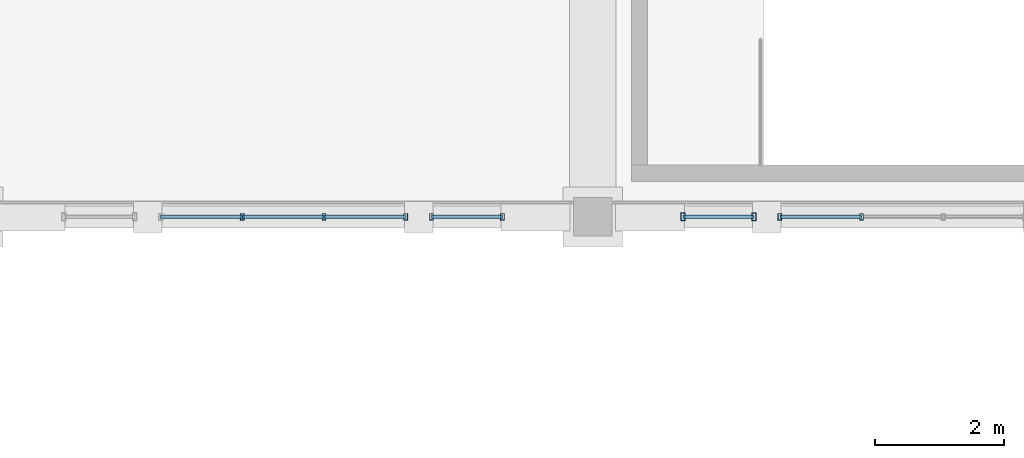
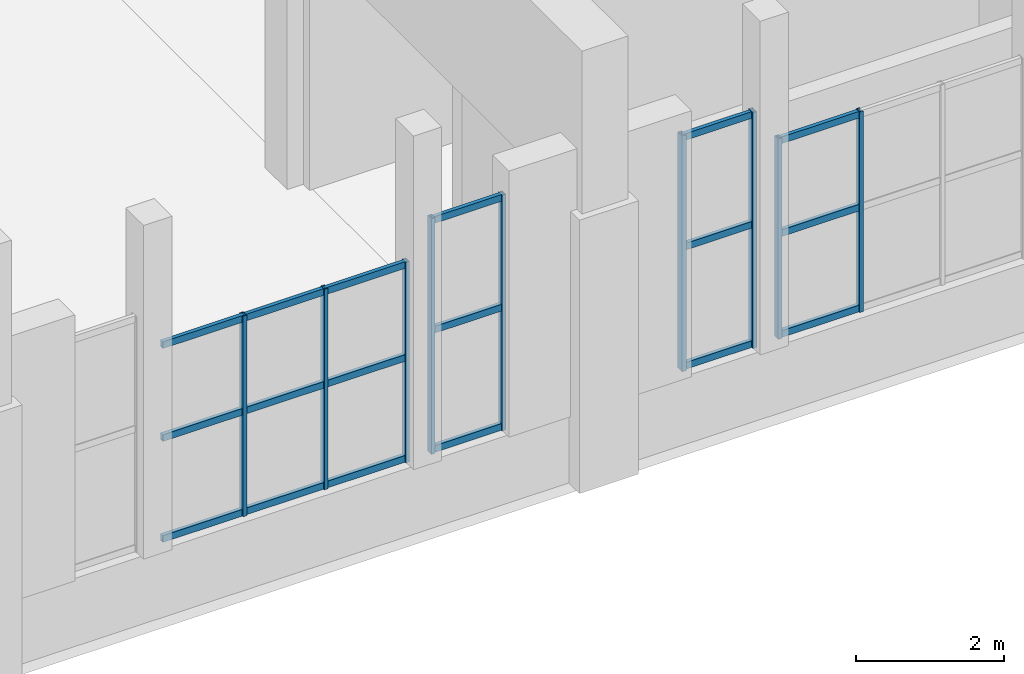
# One storey, part 9 of 46: 27 members, 4 elements without a shape of their own.
"""IFC4 building model written with IfcOpenShell, lengths in metres."""

from ifc_helpers import new_model, si_unit, direction, frame, origin, origin_2d, place, context, subcontext, project, spatial, hollow_rectangle, extrude, material, material_profile, profile_set, type_object, element, aggregate, save


model = new_model("IFC4")

# Units and contexts
model_context = context("Model", 3, precision=1e-05, world=origin(), true_north=direction((0.0, 1.0)))
body_context = subcontext(model_context, "Body", "Model", "MODEL_VIEW")
ifc_project = project(units=[si_unit("LENGTHUNIT", "METRE"), si_unit("AREAUNIT", "SQUARE_METRE"), si_unit("VOLUMEUNIT", "CUBIC_METRE"), si_unit("PLANEANGLEUNIT", "RADIAN"), si_unit("MASSUNIT", "GRAM", prefix="KILO")], contexts=[model_context])

# Site, building, storey
site_placement = place(None, origin())
site = spatial("IfcSite", under=ifc_project, at=site_placement, CompositionType="ELEMENT")
building_placement = place(site_placement, origin())
building = spatial("IfcBuilding", under=site, at=building_placement, Name="Mavantir Sound Aquarium", CompositionType="ELEMENT")
storey_placement = place(building_placement, frame((0.0, 0.0, 15.300048828125)))
storey = spatial("IfcBuildingStorey", under=building, at=storey_placement, Name="L03", CompositionType="ELEMENT", Elevation=15.300048828125)

# Curtain wall, members
ifc_material_1 = material(Name="Anodised Marine Aluminium and Low-E Glass", Category="aluminium")
curtain_wall_type_1 = type_object("IfcCurtainWallType", Name="CW-T16", PredefinedType="USERDEFINED", material=ifc_material_1)
curtain_wall_1_placement = place(storey_placement, origin())
curtain_wall_1 = element("IfcCurtainWall", 1, at=curtain_wall_1_placement, inside=storey, type_object=curtain_wall_type_1, Name="L03 unitised curtain wall CW-16 159", ObjectType="UNITISED GLAZING", PredefinedType="USERDEFINED")
ifc_material_2 = material(Name="Anodised Marine Aluminium 6063-T6", Category="aluminium")
ifc_material_profile_1 = material_profile(ifc_material_2, hollow_rectangle(XDim=0.06005859375, YDim=0.10009765625, WallThickness=0.00390625, at=origin_2d()), Name="ALU-MULLION-100X60")
ifc_profile_set_1 = profile_set([ifc_material_profile_1], Name="Anodised Marine Aluminium 6063-T6")
member_type_1 = type_object("IfcMemberType", Name="CW-MUL-100", PredefinedType="MULLION", material=ifc_profile_set_1)
member_1_placement = place(storey_placement, frame((140.966796875, 40.800048828125, 1.119873046875), z_axis=(0.0, 0.0, 1.0), x_axis=(1.0, 0.0, 0.0)))
member_1 = element("IfcMember", 2, at=member_1_placement, type_object=member_type_1, Name="CW-DIOC-4S-C vertical mullion 2", PredefinedType="MULLION", context=body_context, shape_type="SweptSolid", body=[
    extrude(hollow_rectangle(XDim=0.06005859375, YDim=0.10009765625, WallThickness=0.00390625, at=origin_2d()), origin(), (0.0, 0.0, 1.0), 3.300048828125),
])
member_2_placement = place(storey_placement, frame((142.2333984375, 40.800048828125, 1.119873046875), z_axis=(0.0, 0.0, 1.0), x_axis=(1.0, 0.0, 0.0)))
member_2 = element("IfcMember", 3, at=member_2_placement, type_object=member_type_1, Name="CW-DIOC-4S-C vertical mullion 3", PredefinedType="MULLION", context=body_context, shape_type="SweptSolid", body=[
    extrude(hollow_rectangle(XDim=0.06005859375, YDim=0.10009765625, WallThickness=0.00390625, at=origin_2d()), origin(), (0.0, 0.0, 1.0), 3.300048828125),
])
member_3_placement = place(storey_placement, frame((143.5, 40.800048828125, 1.119873046875), z_axis=(0.0, 0.0, 1.0), x_axis=(1.0, 0.0, 0.0)))
member_3 = element("IfcMember", 4, at=member_3_placement, type_object=member_type_1, Name="CW-DIOC-4S-C vertical mullion 4", PredefinedType="MULLION", context=body_context, shape_type="SweptSolid", body=[
    extrude(hollow_rectangle(XDim=0.06005859375, YDim=0.10009765625, WallThickness=0.00390625, at=origin_2d()), origin(), (0.0, 0.0, 1.0), 3.300048828125),
])

curtain_wall_type_2 = type_object("IfcCurtainWallType", Name="CW-T18", PredefinedType="USERDEFINED", material=ifc_material_1)
curtain_wall_2_placement = place(storey_placement, origin())
curtain_wall_2 = element("IfcCurtainWall", 5, at=curtain_wall_2_placement, inside=storey, type_object=curtain_wall_type_2, Name="L03 unitised curtain wall CW-18 161", ObjectType="UNITISED GLAZING", PredefinedType="USERDEFINED")
member_4_placement = place(storey_placement, frame((143.89990234375, 40.800048828125, 1.119873046875), z_axis=(0.0, 0.0, 1.0), x_axis=(1.0, 0.0, 0.0)))
member_4 = element("IfcMember", 6, at=member_4_placement, type_object=member_type_1, Name="CW-DIOC-4S-R vertical mullion 1", PredefinedType="MULLION", context=body_context, shape_type="SweptSolid", body=[
    extrude(hollow_rectangle(XDim=0.06005859375, YDim=0.10009765625, WallThickness=0.00390625, at=origin_2d()), origin(), (0.0, 0.0, 1.0), 3.880126953125),
])
member_5_placement = place(storey_placement, frame((145.0, 40.800048828125, 1.119873046875), z_axis=(0.0, 0.0, 1.0), x_axis=(1.0, 0.0, 0.0)))
member_5 = element("IfcMember", 7, at=member_5_placement, type_object=member_type_1, Name="CW-DIOC-4S-R vertical mullion 2", PredefinedType="MULLION", context=body_context, shape_type="SweptSolid", body=[
    extrude(hollow_rectangle(XDim=0.06005859375, YDim=0.10009765625, WallThickness=0.00390625, at=origin_2d()), origin(), (0.0, 0.0, 1.0), 3.880126953125),
])

curtain_wall_type_3 = type_object("IfcCurtainWallType", Name="CW-T22", PredefinedType="USERDEFINED", material=ifc_material_1)
curtain_wall_3_placement = place(storey_placement, origin())
curtain_wall_3 = element("IfcCurtainWall", 8, at=curtain_wall_3_placement, inside=storey, type_object=curtain_wall_type_3, Name="L03 unitised curtain wall CW-22 165", ObjectType="UNITISED GLAZING", PredefinedType="USERDEFINED")
member_6_placement = place(storey_placement, frame((149.300048828125, 40.800048828125, 1.119873046875), z_axis=(0.0, 0.0, 1.0), x_axis=(1.0, 0.0, 0.0)))
member_6 = element("IfcMember", 9, at=member_6_placement, type_object=member_type_1, Name="CW-DIOC-5S-C vertical mullion 1", PredefinedType="MULLION", context=body_context, shape_type="SweptSolid", body=[
    extrude(hollow_rectangle(XDim=0.06005859375, YDim=0.10009765625, WallThickness=0.00390625, at=origin_2d()), origin(), (0.0, 0.0, 1.0), 3.300048828125),
])
member_7_placement = place(storey_placement, frame((150.566650390625, 40.800048828125, 1.119873046875), z_axis=(0.0, 0.0, 1.0), x_axis=(1.0, 0.0, 0.0)))
member_7 = element("IfcMember", 10, at=member_7_placement, type_object=member_type_1, Name="CW-DIOC-5S-C vertical mullion 2", PredefinedType="MULLION", context=body_context, shape_type="SweptSolid", body=[
    extrude(hollow_rectangle(XDim=0.06005859375, YDim=0.10009765625, WallThickness=0.00390625, at=origin_2d()), origin(), (0.0, 0.0, 1.0), 3.300048828125),
])

curtain_wall_type_4 = type_object("IfcCurtainWallType", Name="CW-T23", PredefinedType="USERDEFINED", material=ifc_material_1)
curtain_wall_4_placement = place(storey_placement, origin())
curtain_wall_4 = element("IfcCurtainWall", 11, at=curtain_wall_4_placement, inside=storey, type_object=curtain_wall_type_4, Name="L03 unitised curtain wall CW-23 166", ObjectType="UNITISED GLAZING", PredefinedType="USERDEFINED")
ifc_material_profile_2 = material_profile(ifc_material_2, hollow_rectangle(XDim=0.06494140625, YDim=0.1201171875, WallThickness=0.00390625, at=origin_2d()), Name="ALU-MULLION-120X65")
ifc_profile_set_2 = profile_set([ifc_material_profile_2], Name="Anodised Marine Aluminium 6063-T6")
member_type_2 = type_object("IfcMemberType", Name="CW-MUL-120", PredefinedType="MULLION", material=ifc_profile_set_2)
member_8_placement = place(storey_placement, frame((147.800048828125, 40.800048828125, 1.119873046875), z_axis=(0.0, 0.0, 1.0), x_axis=(1.0, 0.0, 0.0)))
member_8 = element("IfcMember", 12, at=member_8_placement, type_object=member_type_2, Name="CW-DIOC-5S-L vertical mullion 1", PredefinedType="MULLION", context=body_context, shape_type="SweptSolid", body=[
    extrude(hollow_rectangle(XDim=0.06494140625, YDim=0.1201171875, WallThickness=0.00390625, at=origin_2d()), origin(), (0.0, 0.0, 1.0), 3.880126953125),
])
member_9_placement = place(storey_placement, frame((148.89990234375, 40.800048828125, 1.119873046875), z_axis=(0.0, 0.0, 1.0), x_axis=(1.0, 0.0, 0.0)))
member_9 = element("IfcMember", 13, at=member_9_placement, type_object=member_type_2, Name="CW-DIOC-5S-L vertical mullion 2", PredefinedType="MULLION", context=body_context, shape_type="SweptSolid", body=[
    extrude(hollow_rectangle(XDim=0.06494140625, YDim=0.1201171875, WallThickness=0.00390625, at=origin_2d()), origin(), (0.0, 0.0, 1.0), 3.880126953125),
])

# Member
ifc_material_profile_3 = material_profile(ifc_material_2, hollow_rectangle(XDim=0.06005859375, YDim=0.110107421875, WallThickness=0.00390625, at=origin_2d()), Name="ALU-TRANSOM-110X60")
ifc_profile_set_3 = profile_set([ifc_material_profile_3], Name="Anodised Marine Aluminium 6063-T6")
member_type_3 = type_object("IfcMemberType", Name="CW-TRN-110", PredefinedType="USERDEFINED", material=ifc_profile_set_3)
member_10_placement = place(storey_placement, frame((139.699951171875, 40.800048828125, 1.175048828125), z_axis=(1.0, 0.0, 0.0), x_axis=(0.0, 1.0, 0.0)))
member_10 = element("IfcMember", 14, at=member_10_placement, type_object=member_type_3, Name="CW-DIOC-4S-C transom 1.1", ObjectType="TRANSOM", PredefinedType="USERDEFINED", context=body_context, shape_type="SweptSolid", body=[
    extrude(hollow_rectangle(XDim=0.06005859375, YDim=0.110107421875, WallThickness=0.00390625, at=origin_2d()), origin(), (0.0, 0.0, 1.0), 1.266845703125),
])

member_11_placement = place(storey_placement, frame((139.699951171875, 40.800048828125, 2.8359375), z_axis=(1.0, 0.0, 0.0), x_axis=(0.0, 1.0, 0.0)))
member_11 = element("IfcMember", 15, at=member_11_placement, type_object=member_type_3, Name="CW-DIOC-4S-C transom 1.2", ObjectType="TRANSOM", PredefinedType="USERDEFINED", context=body_context, shape_type="SweptSolid", body=[
    extrude(hollow_rectangle(XDim=0.06005859375, YDim=0.110107421875, WallThickness=0.00390625, at=origin_2d()), origin(), (0.0, 0.0, 1.0), 1.266845703125),
])

member_12_placement = place(storey_placement, frame((139.699951171875, 40.800048828125, 4.364990234375), z_axis=(1.0, 0.0, 0.0), x_axis=(0.0, 1.0, 0.0)))
member_12 = element("IfcMember", 16, at=member_12_placement, type_object=member_type_3, Name="CW-DIOC-4S-C transom 1.3", ObjectType="TRANSOM", PredefinedType="USERDEFINED", context=body_context, shape_type="SweptSolid", body=[
    extrude(hollow_rectangle(XDim=0.06005859375, YDim=0.110107421875, WallThickness=0.00390625, at=origin_2d()), origin(), (0.0, 0.0, 1.0), 1.266845703125),
])

member_13_placement = place(storey_placement, frame((140.966796875, 40.800048828125, 1.175048828125), z_axis=(1.0, 0.0, 0.0), x_axis=(0.0, 1.0, 0.0)))
member_13 = element("IfcMember", 17, at=member_13_placement, type_object=member_type_3, Name="CW-DIOC-4S-C transom 2.1", ObjectType="TRANSOM", PredefinedType="USERDEFINED", context=body_context, shape_type="SweptSolid", body=[
    extrude(hollow_rectangle(XDim=0.06005859375, YDim=0.110107421875, WallThickness=0.00390625, at=origin_2d()), origin(), (0.0, 0.0, 1.0), 1.2666015625),
])

member_14_placement = place(storey_placement, frame((140.966796875, 40.800048828125, 2.8359375), z_axis=(1.0, 0.0, 0.0), x_axis=(0.0, 1.0, 0.0)))
member_14 = element("IfcMember", 18, at=member_14_placement, type_object=member_type_3, Name="CW-DIOC-4S-C transom 2.2", ObjectType="TRANSOM", PredefinedType="USERDEFINED", context=body_context, shape_type="SweptSolid", body=[
    extrude(hollow_rectangle(XDim=0.06005859375, YDim=0.110107421875, WallThickness=0.00390625, at=origin_2d()), origin(), (0.0, 0.0, 1.0), 1.2666015625),
])

member_15_placement = place(storey_placement, frame((140.966796875, 40.800048828125, 4.364990234375), z_axis=(1.0, 0.0, 0.0), x_axis=(0.0, 1.0, 0.0)))
member_15 = element("IfcMember", 19, at=member_15_placement, type_object=member_type_3, Name="CW-DIOC-4S-C transom 2.3", ObjectType="TRANSOM", PredefinedType="USERDEFINED", context=body_context, shape_type="SweptSolid", body=[
    extrude(hollow_rectangle(XDim=0.06005859375, YDim=0.110107421875, WallThickness=0.00390625, at=origin_2d()), origin(), (0.0, 0.0, 1.0), 1.2666015625),
])

member_16_placement = place(storey_placement, frame((142.2333984375, 40.800048828125, 1.175048828125), z_axis=(1.0, 0.0, 0.0), x_axis=(0.0, 1.0, 0.0)))
member_16 = element("IfcMember", 20, at=member_16_placement, type_object=member_type_3, Name="CW-DIOC-4S-C transom 3.1", ObjectType="TRANSOM", PredefinedType="USERDEFINED", context=body_context, shape_type="SweptSolid", body=[
    extrude(hollow_rectangle(XDim=0.06005859375, YDim=0.110107421875, WallThickness=0.00390625, at=origin_2d()), origin(), (0.0, 0.0, 1.0), 1.2666015625),
])

member_17_placement = place(storey_placement, frame((142.2333984375, 40.800048828125, 2.8359375), z_axis=(1.0, 0.0, 0.0), x_axis=(0.0, 1.0, 0.0)))
member_17 = element("IfcMember", 21, at=member_17_placement, type_object=member_type_3, Name="CW-DIOC-4S-C transom 3.2", ObjectType="TRANSOM", PredefinedType="USERDEFINED", context=body_context, shape_type="SweptSolid", body=[
    extrude(hollow_rectangle(XDim=0.06005859375, YDim=0.110107421875, WallThickness=0.00390625, at=origin_2d()), origin(), (0.0, 0.0, 1.0), 1.2666015625),
])

member_18_placement = place(storey_placement, frame((142.2333984375, 40.800048828125, 4.364990234375), z_axis=(1.0, 0.0, 0.0), x_axis=(0.0, 1.0, 0.0)))
member_18 = element("IfcMember", 22, at=member_18_placement, type_object=member_type_3, Name="CW-DIOC-4S-C transom 3.3", ObjectType="TRANSOM", PredefinedType="USERDEFINED", context=body_context, shape_type="SweptSolid", body=[
    extrude(hollow_rectangle(XDim=0.06005859375, YDim=0.110107421875, WallThickness=0.00390625, at=origin_2d()), origin(), (0.0, 0.0, 1.0), 1.2666015625),
])

aggregate(curtain_wall_1, [member_1, member_2, member_3, member_10, member_11, member_12, member_13, member_14, member_15, member_16, member_17, member_18])

member_19_placement = place(storey_placement, frame((143.89990234375, 40.800048828125, 1.175048828125), z_axis=(1.0, 0.0, 0.0), x_axis=(0.0, 1.0, 0.0)))
member_19 = element("IfcMember", 23, at=member_19_placement, type_object=member_type_3, Name="CW-DIOC-4S-R transom 1.1", ObjectType="TRANSOM", PredefinedType="USERDEFINED", context=body_context, shape_type="SweptSolid", body=[
    extrude(hollow_rectangle(XDim=0.06005859375, YDim=0.110107421875, WallThickness=0.00390625, at=origin_2d()), origin(), (0.0, 0.0, 1.0), 1.10009765625),
])

member_20_placement = place(storey_placement, frame((143.89990234375, 40.800048828125, 3.137451171875), z_axis=(1.0, 0.0, 0.0), x_axis=(0.0, 1.0, 0.0)))
member_20 = element("IfcMember", 24, at=member_20_placement, type_object=member_type_3, Name="CW-DIOC-4S-R transom 1.2", ObjectType="TRANSOM", PredefinedType="USERDEFINED", context=body_context, shape_type="SweptSolid", body=[
    extrude(hollow_rectangle(XDim=0.06005859375, YDim=0.110107421875, WallThickness=0.00390625, at=origin_2d()), origin(), (0.0, 0.0, 1.0), 1.10009765625),
])

member_21_placement = place(storey_placement, frame((143.89990234375, 40.800048828125, 4.945068359375), z_axis=(1.0, 0.0, 0.0), x_axis=(0.0, 1.0, 0.0)))
member_21 = element("IfcMember", 25, at=member_21_placement, type_object=member_type_3, Name="CW-DIOC-4S-R transom 1.3", ObjectType="TRANSOM", PredefinedType="USERDEFINED", context=body_context, shape_type="SweptSolid", body=[
    extrude(hollow_rectangle(XDim=0.06005859375, YDim=0.110107421875, WallThickness=0.00390625, at=origin_2d()), origin(), (0.0, 0.0, 1.0), 1.10009765625),
])

aggregate(curtain_wall_2, [member_4, member_5, member_19, member_20, member_21])

member_22_placement = place(storey_placement, frame((149.300048828125, 40.800048828125, 1.175048828125), z_axis=(1.0, 0.0, 0.0), x_axis=(0.0, 1.0, 0.0)))
member_22 = element("IfcMember", 26, at=member_22_placement, type_object=member_type_3, Name="CW-DIOC-5S-C transom 1.1", ObjectType="TRANSOM", PredefinedType="USERDEFINED", context=body_context, shape_type="SweptSolid", body=[
    extrude(hollow_rectangle(XDim=0.06005859375, YDim=0.110107421875, WallThickness=0.00390625, at=origin_2d()), origin(), (0.0, 0.0, 1.0), 1.2666015625),
])

member_23_placement = place(storey_placement, frame((149.300048828125, 40.800048828125, 2.8359375), z_axis=(1.0, 0.0, 0.0), x_axis=(0.0, 1.0, 0.0)))
member_23 = element("IfcMember", 27, at=member_23_placement, type_object=member_type_3, Name="CW-DIOC-5S-C transom 1.2", ObjectType="TRANSOM", PredefinedType="USERDEFINED", context=body_context, shape_type="SweptSolid", body=[
    extrude(hollow_rectangle(XDim=0.06005859375, YDim=0.110107421875, WallThickness=0.00390625, at=origin_2d()), origin(), (0.0, 0.0, 1.0), 1.2666015625),
])

member_24_placement = place(storey_placement, frame((149.300048828125, 40.800048828125, 4.364990234375), z_axis=(1.0, 0.0, 0.0), x_axis=(0.0, 1.0, 0.0)))
member_24 = element("IfcMember", 28, at=member_24_placement, type_object=member_type_3, Name="CW-DIOC-5S-C transom 1.3", ObjectType="TRANSOM", PredefinedType="USERDEFINED", context=body_context, shape_type="SweptSolid", body=[
    extrude(hollow_rectangle(XDim=0.06005859375, YDim=0.110107421875, WallThickness=0.00390625, at=origin_2d()), origin(), (0.0, 0.0, 1.0), 1.2666015625),
])

aggregate(curtain_wall_3, [member_6, member_7, member_22, member_23, member_24])

member_25_placement = place(storey_placement, frame((147.800048828125, 40.800048828125, 1.175048828125), z_axis=(1.0, 0.0, 0.0), x_axis=(0.0, 1.0, 0.0)))
member_25 = element("IfcMember", 29, at=member_25_placement, type_object=member_type_3, Name="CW-DIOC-5S-L transom 1.1", ObjectType="TRANSOM", PredefinedType="USERDEFINED", context=body_context, shape_type="SweptSolid", body=[
    extrude(hollow_rectangle(XDim=0.06005859375, YDim=0.110107421875, WallThickness=0.00390625, at=origin_2d()), origin(), (0.0, 0.0, 1.0), 1.099853515625),
])

member_26_placement = place(storey_placement, frame((147.800048828125, 40.800048828125, 3.137451171875), z_axis=(1.0, 0.0, 0.0), x_axis=(0.0, 1.0, 0.0)))
member_26 = element("IfcMember", 30, at=member_26_placement, type_object=member_type_3, Name="CW-DIOC-5S-L transom 1.2", ObjectType="TRANSOM", PredefinedType="USERDEFINED", context=body_context, shape_type="SweptSolid", body=[
    extrude(hollow_rectangle(XDim=0.06005859375, YDim=0.110107421875, WallThickness=0.00390625, at=origin_2d()), origin(), (0.0, 0.0, 1.0), 1.099853515625),
])

member_27_placement = place(storey_placement, frame((147.800048828125, 40.800048828125, 4.945068359375), z_axis=(1.0, 0.0, 0.0), x_axis=(0.0, 1.0, 0.0)))
member_27 = element("IfcMember", 31, at=member_27_placement, type_object=member_type_3, Name="CW-DIOC-5S-L transom 1.3", ObjectType="TRANSOM", PredefinedType="USERDEFINED", context=body_context, shape_type="SweptSolid", body=[
    extrude(hollow_rectangle(XDim=0.06005859375, YDim=0.110107421875, WallThickness=0.00390625, at=origin_2d()), origin(), (0.0, 0.0, 1.0), 1.099853515625),
])

aggregate(curtain_wall_4, [member_8, member_9, member_25, member_26, member_27])

save(model, "model.ifc")
